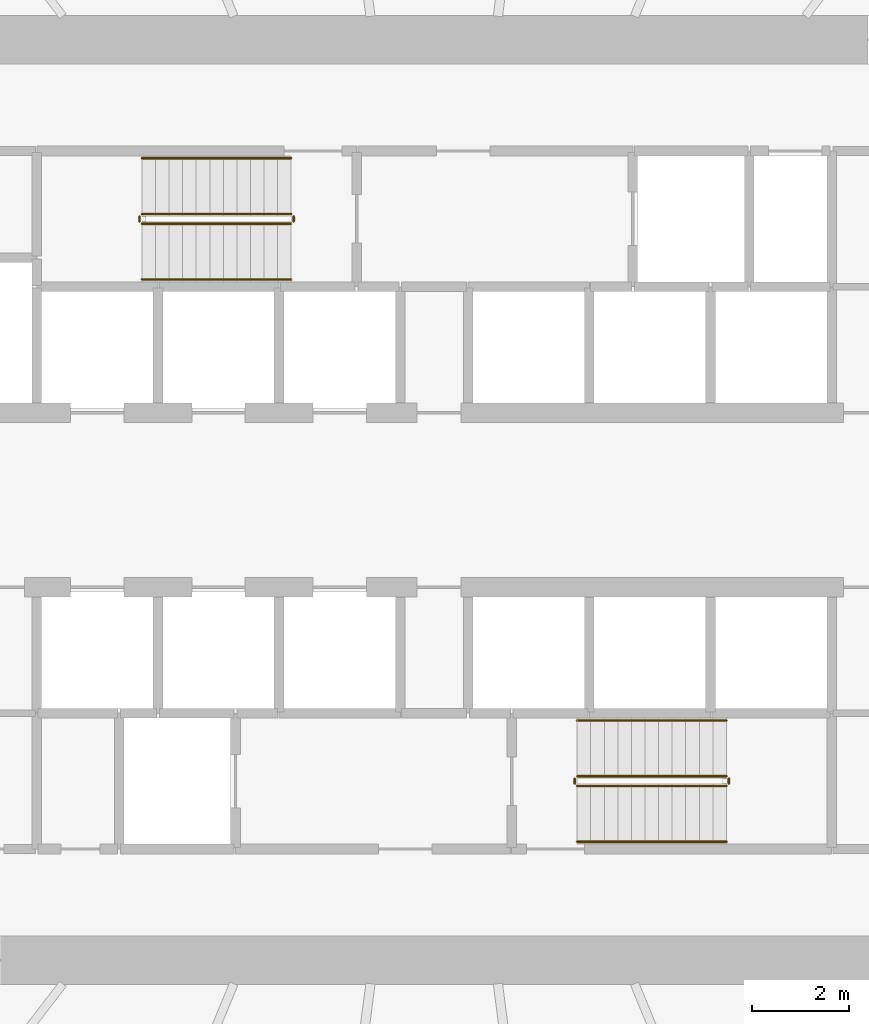
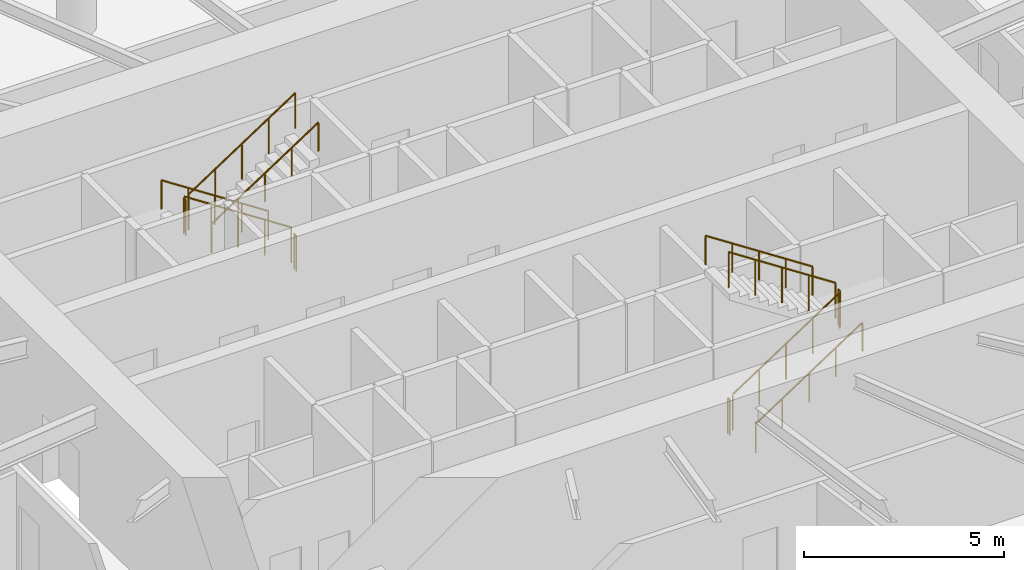
# One storey, part 16 of 17: 12 railings.
"""IFC4 building model written with IfcOpenShell, lengths in metres."""

from ifc_helpers import new_model, si_unit, direction, frame, origin, origin_2d, place, context, subcontext, project, spatial, circle, extrude, material, type_object, element, save


model = new_model("IFC4")

# Units and contexts
model_context = context("Model", 3, precision=1e-05, world=origin(), true_north=direction((0.0, 1.0)))
body_context = subcontext(model_context, "Body", "Model", "MODEL_VIEW")
ifc_project = project(units=[si_unit("LENGTHUNIT", "METRE"), si_unit("AREAUNIT", "SQUARE_METRE"), si_unit("VOLUMEUNIT", "CUBIC_METRE"), si_unit("PLANEANGLEUNIT", "RADIAN"), si_unit("MASSUNIT", "GRAM", prefix="KILO")], contexts=[model_context])

# Site, building, storey
site_placement = place(None, origin())
site = spatial("IfcSite", under=ifc_project, at=site_placement, CompositionType="ELEMENT")
building_placement = place(site_placement, origin())
building = spatial("IfcBuilding", under=site, at=building_placement, Name="Spindrift Exchange Tower", CompositionType="ELEMENT")
storey_placement = place(building_placement, frame((0.0, 0.0, 35.800048828125)))
storey = spatial("IfcBuildingStorey", under=building, at=storey_placement, Name="L08", CompositionType="ELEMENT", Elevation=35.800048828125)

# Railings
ifc_material_1 = material(Name="Steel balustrade", Category="steel")
railing_type_1 = type_object("IfcRailingType", Name="RL-STAIR-GUARD", PredefinedType="GUARDRAIL", material=ifc_material_1)
railing_1_placement = place(storey_placement, frame((49.050048828125, 53.89990234375, 0.183349609375)))
element("IfcRailing", 1, at=railing_1_placement, inside=storey, type_object=railing_type_1, Name="L08 ST1 stair guard 1", PredefinedType="GUARDRAIL", context=body_context, shape_type="SweptSolid", body=[
    extrude(circle(Radius=0.02392578125, at=origin_2d()), frame((0.0, 0.0, 1.076171875), z_axis=(-0.836633000464, 0.0, 0.547763838287), x_axis=(0.0, -1.0, 0.0)), (0.0, 0.0, 1.0), 3.681396484375),
    extrude(circle(Radius=0.02099609375, at=origin_2d()), origin(), (0.0, 0.0, 1.0), 1.052001953125),
    extrude(circle(Radius=0.02099609375, at=origin_2d()), frame((-0.77001953125, 0.0, 0.504150390625)), (0.0, 0.0, 1.0), 1.052001953125),
    extrude(circle(Radius=0.02099609375, at=origin_2d()), frame((-1.5400390625, 0.0, 1.00830078125)), (0.0, 0.0, 1.0), 1.052001953125),
    extrude(circle(Radius=0.02099609375, at=origin_2d()), frame((-2.31005859375, 0.0, 1.512451171875)), (0.0, 0.0, 1.0), 1.052001953125),
    extrude(circle(Radius=0.02099609375, at=origin_2d()), frame((-3.080078125, 0.0, 2.0166015625)), (0.0, 0.0, 1.0), 1.052001953125),
])
railing_2_placement = place(storey_placement, frame((45.919921875, 53.85009765625, 2.199951171875)))
element("IfcRailing", 2, at=railing_2_placement, inside=storey, type_object=railing_type_1, Name="L08 ST1 stair guard 2", PredefinedType="GUARDRAIL", context=body_context, shape_type="SweptSolid", body=[
    extrude(circle(Radius=0.02392578125, at=origin_2d()), frame((0.0, 0.0, 1.076171875), z_axis=(0.0, -1.0, 0.0), x_axis=(1.0, 0.0, 0.0)), (0.0, 0.0, 1.0), 0.10009765625),
    extrude(circle(Radius=0.02099609375, at=origin_2d()), origin(), (0.0, 0.0, 1.0), 1.052001953125),
    extrude(circle(Radius=0.02099609375, at=origin_2d()), frame((0.0, -0.10009765625, 0.0)), (0.0, 0.0, 1.0), 1.052001953125),
])
railing_3_placement = place(storey_placement, frame((45.969970703125, 53.699951171875, 2.38330078125)))
element("IfcRailing", 3, at=railing_3_placement, inside=storey, type_object=railing_type_1, Name="L08 ST1 stair guard 3", PredefinedType="GUARDRAIL", context=body_context, shape_type="SweptSolid", body=[
    extrude(circle(Radius=0.02392578125, at=origin_2d()), frame((0.0, 0.0, 1.076171875), z_axis=(0.836633000464, 0.0, 0.547763838287), x_axis=(0.0, 1.0, 0.0)), (0.0, 0.0, 1.0), 3.681396484375),
    extrude(circle(Radius=0.02099609375, at=origin_2d()), origin(), (0.0, 0.0, 1.0), 1.052001953125),
    extrude(circle(Radius=0.02099609375, at=origin_2d()), frame((0.77001953125, 0.0, 0.504150390625)), (0.0, 0.0, 1.0), 1.052001953125),
    extrude(circle(Radius=0.02099609375, at=origin_2d()), frame((1.5400390625, 0.0, 1.00830078125)), (0.0, 0.0, 1.0), 1.052001953125),
    extrude(circle(Radius=0.02099609375, at=origin_2d()), frame((2.31005859375, 0.0, 1.512451171875)), (0.0, 0.0, 1.0), 1.052001953125),
    extrude(circle(Radius=0.02099609375, at=origin_2d()), frame((3.080078125, 0.0, 2.0166015625)), (0.0, 0.0, 1.0), 1.052001953125),
])
railing_4_placement = place(storey_placement, frame((49.10009765625, 53.85009765625, 0.0)))
element("IfcRailing", 4, at=railing_4_placement, inside=storey, type_object=railing_type_1, Name="L08 ST1 stair guard 4", PredefinedType="GUARDRAIL", context=body_context, shape_type="SweptSolid", body=[
    extrude(circle(Radius=0.02392578125, at=origin_2d()), frame((0.0, 0.0, 1.076171875), z_axis=(0.0, -1.0, 0.0), x_axis=(1.0, 0.0, 0.0)), (0.0, 0.0, 1.0), 0.10009765625),
    extrude(circle(Radius=0.02099609375, at=origin_2d()), origin(), (0.0, 0.0, 1.0), 1.052001953125),
    extrude(circle(Radius=0.02099609375, at=origin_2d()), frame((0.0, -0.10009765625, 0.0)), (0.0, 0.0, 1.0), 1.052001953125),
])
railing_5_placement = place(storey_placement, frame((54.949951171875, 42.10009765625, 0.183349609375)))
element("IfcRailing", 5, at=railing_5_placement, inside=storey, type_object=railing_type_1, Name="L08 ST2 stair guard 1", PredefinedType="GUARDRAIL", context=body_context, shape_type="SweptSolid", body=[
    extrude(circle(Radius=0.02392578125, at=origin_2d()), frame((0.0, 0.0, 1.076171875), z_axis=(0.836633000464, 0.0, 0.547763838287), x_axis=(0.0, 1.0, 0.0)), (0.0, 0.0, 1.0), 3.681396484375),
    extrude(circle(Radius=0.02099609375, at=origin_2d()), origin(), (0.0, 0.0, 1.0), 1.052001953125),
    extrude(circle(Radius=0.02099609375, at=origin_2d()), frame((0.77001953125, 0.0, 0.504150390625)), (0.0, 0.0, 1.0), 1.052001953125),
    extrude(circle(Radius=0.02099609375, at=origin_2d()), frame((1.5400390625, 0.0, 1.00830078125)), (0.0, 0.0, 1.0), 1.052001953125),
    extrude(circle(Radius=0.02099609375, at=origin_2d()), frame((2.31005859375, 0.0, 1.512451171875)), (0.0, 0.0, 1.0), 1.052001953125),
    extrude(circle(Radius=0.02099609375, at=origin_2d()), frame((3.080078125, 0.0, 2.0166015625)), (0.0, 0.0, 1.0), 1.052001953125),
])
railing_6_placement = place(storey_placement, frame((58.080078125, 42.14990234375, 2.199951171875)))
element("IfcRailing", 6, at=railing_6_placement, inside=storey, type_object=railing_type_1, Name="L08 ST2 stair guard 2", PredefinedType="GUARDRAIL", context=body_context, shape_type="SweptSolid", body=[
    extrude(circle(Radius=0.02392578125, at=origin_2d()), frame((0.0, 0.0, 1.076171875), z_axis=(0.0, 1.0, 0.0), x_axis=(-1.0, 0.0, 0.0)), (0.0, 0.0, 1.0), 0.10009765625),
    extrude(circle(Radius=0.02099609375, at=origin_2d()), origin(), (0.0, 0.0, 1.0), 1.052001953125),
    extrude(circle(Radius=0.02099609375, at=origin_2d()), frame((0.0, 0.10009765625, 0.0)), (0.0, 0.0, 1.0), 1.052001953125),
])
railing_7_placement = place(storey_placement, frame((58.030029296875, 42.300048828125, 2.38330078125)))
element("IfcRailing", 7, at=railing_7_placement, inside=storey, type_object=railing_type_1, Name="L08 ST2 stair guard 3", PredefinedType="GUARDRAIL", context=body_context, shape_type="SweptSolid", body=[
    extrude(circle(Radius=0.02392578125, at=origin_2d()), frame((0.0, 0.0, 1.076171875), z_axis=(-0.836633000464, 0.0, 0.547763838287), x_axis=(0.0, -1.0, 0.0)), (0.0, 0.0, 1.0), 3.681396484375),
    extrude(circle(Radius=0.02099609375, at=origin_2d()), origin(), (0.0, 0.0, 1.0), 1.052001953125),
    extrude(circle(Radius=0.02099609375, at=origin_2d()), frame((-0.77001953125, 0.0, 0.504150390625)), (0.0, 0.0, 1.0), 1.052001953125),
    extrude(circle(Radius=0.02099609375, at=origin_2d()), frame((-1.5400390625, 0.0, 1.00830078125)), (0.0, 0.0, 1.0), 1.052001953125),
    extrude(circle(Radius=0.02099609375, at=origin_2d()), frame((-2.31005859375, 0.0, 1.512451171875)), (0.0, 0.0, 1.0), 1.052001953125),
    extrude(circle(Radius=0.02099609375, at=origin_2d()), frame((-3.080078125, 0.0, 2.0166015625)), (0.0, 0.0, 1.0), 1.052001953125),
])
railing_8_placement = place(storey_placement, frame((54.89990234375, 42.14990234375, 0.0)))
element("IfcRailing", 8, at=railing_8_placement, inside=storey, type_object=railing_type_1, Name="L08 ST2 stair guard 4", PredefinedType="GUARDRAIL", context=body_context, shape_type="SweptSolid", body=[
    extrude(circle(Radius=0.02392578125, at=origin_2d()), frame((0.0, 0.0, 1.076171875), z_axis=(0.0, 1.0, 0.0), x_axis=(-1.0, 0.0, 0.0)), (0.0, 0.0, 1.0), 0.10009765625),
    extrude(circle(Radius=0.02099609375, at=origin_2d()), origin(), (0.0, 0.0, 1.0), 1.052001953125),
    extrude(circle(Radius=0.02099609375, at=origin_2d()), frame((0.0, 0.10009765625, 0.0)), (0.0, 0.0, 1.0), 1.052001953125),
])
ifc_material_2 = material(Name="Steel tubular handrail", Category="steel")
railing_type_2 = type_object("IfcRailingType", Name="RL-STAIR-HAND", PredefinedType="HANDRAIL", material=ifc_material_2)
railing_9_placement = place(storey_placement, frame((49.050048828125, 55.050048828125, 0.183349609375)))
element("IfcRailing", 9, at=railing_9_placement, inside=storey, type_object=railing_type_2, Name="L08 ST1 stair handrail 1", PredefinedType="HANDRAIL", context=body_context, shape_type="SweptSolid", body=[
    extrude(circle(Radius=0.02392578125, at=origin_2d()), frame((0.0, 0.0, 0.8759765625), z_axis=(-0.836633000464, 0.0, 0.547763838287), x_axis=(0.0, -1.0, 0.0)), (0.0, 0.0, 1.0), 3.681396484375),
    extrude(circle(Radius=0.02099609375, at=origin_2d()), origin(), (0.0, 0.0, 1.0), 0.851806640625),
    extrude(circle(Radius=0.02099609375, at=origin_2d()), frame((-0.77001953125, 0.0, 0.504150390625)), (0.0, 0.0, 1.0), 0.851806640625),
    extrude(circle(Radius=0.02099609375, at=origin_2d()), frame((-1.5400390625, 0.0, 1.00830078125)), (0.0, 0.0, 1.0), 0.851806640625),
    extrude(circle(Radius=0.02099609375, at=origin_2d()), frame((-2.31005859375, 0.0, 1.512451171875)), (0.0, 0.0, 1.0), 0.851806640625),
    extrude(circle(Radius=0.02099609375, at=origin_2d()), frame((-3.080078125, 0.0, 2.0166015625)), (0.0, 0.0, 1.0), 0.851806640625),
])
for number, where, name in (
    (10, (45.969970703125, 52.550048828125, 2.38330078125), "L08 ST1 stair handrail 2"),
    (11, (54.949951171875, 40.949951171875, 0.183349609375), "L08 ST2 stair handrail 1"),
):
    element("IfcRailing", number, at=place(storey_placement, frame(where)), inside=storey, type_object=railing_type_2, Name=name, PredefinedType="HANDRAIL", context=body_context, shape_type="SweptSolid", body=[
        extrude(circle(Radius=0.02392578125, at=origin_2d()), frame((0.0, 0.0, 0.8759765625), z_axis=(0.836633000464, 0.0, 0.547763838287), x_axis=(0.0, 1.0, 0.0)), (0.0, 0.0, 1.0), 3.681396484375),
        extrude(circle(Radius=0.02099609375, at=origin_2d()), origin(), (0.0, 0.0, 1.0), 0.851806640625),
        extrude(circle(Radius=0.02099609375, at=origin_2d()), frame((0.77001953125, 0.0, 0.504150390625)), (0.0, 0.0, 1.0), 0.851806640625),
        extrude(circle(Radius=0.02099609375, at=origin_2d()), frame((1.5400390625, 0.0, 1.00830078125)), (0.0, 0.0, 1.0), 0.851806640625),
        extrude(circle(Radius=0.02099609375, at=origin_2d()), frame((2.31005859375, 0.0, 1.512451171875)), (0.0, 0.0, 1.0), 0.851806640625),
        extrude(circle(Radius=0.02099609375, at=origin_2d()), frame((3.080078125, 0.0, 2.0166015625)), (0.0, 0.0, 1.0), 0.851806640625),
    ])
railing_10_placement = place(storey_placement, frame((58.030029296875, 43.449951171875, 2.38330078125)))
element("IfcRailing", 12, at=railing_10_placement, inside=storey, type_object=railing_type_2, Name="L08 ST2 stair handrail 2", PredefinedType="HANDRAIL", context=body_context, shape_type="SweptSolid", body=[
    extrude(circle(Radius=0.02392578125, at=origin_2d()), frame((0.0, 0.0, 0.8759765625), z_axis=(-0.836633000464, 0.0, 0.547763838287), x_axis=(0.0, -1.0, 0.0)), (0.0, 0.0, 1.0), 3.681396484375),
    extrude(circle(Radius=0.02099609375, at=origin_2d()), origin(), (0.0, 0.0, 1.0), 0.851806640625),
    extrude(circle(Radius=0.02099609375, at=origin_2d()), frame((-0.77001953125, 0.0, 0.504150390625)), (0.0, 0.0, 1.0), 0.851806640625),
    extrude(circle(Radius=0.02099609375, at=origin_2d()), frame((-1.5400390625, 0.0, 1.00830078125)), (0.0, 0.0, 1.0), 0.851806640625),
    extrude(circle(Radius=0.02099609375, at=origin_2d()), frame((-2.31005859375, 0.0, 1.512451171875)), (0.0, 0.0, 1.0), 0.851806640625),
    extrude(circle(Radius=0.02099609375, at=origin_2d()), frame((-3.080078125, 0.0, 2.0166015625)), (0.0, 0.0, 1.0), 0.851806640625),
])

save(model, "model.ifc")
